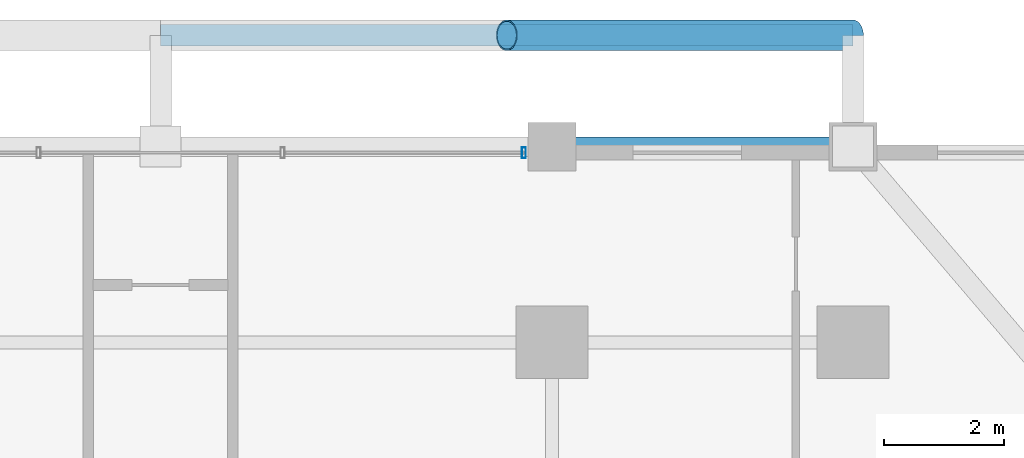
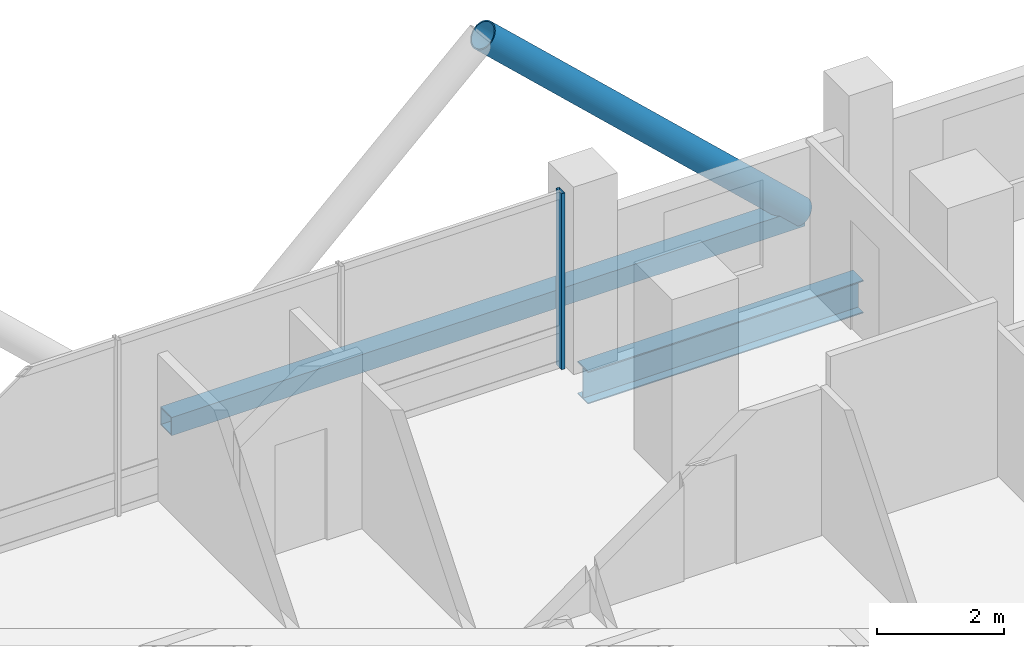
# One storey, part 16 of 25: 3 members, 1 beam, 1 element without a shape of its own.
"""IFC4 building model written with IfcOpenShell, lengths in metres."""

import ifcopenshell
import ifcopenshell.guid

model = None  # the IFC model being written
_history = None  # IfcOwnerHistory: only IFC2X3 demands one
_inside = {}  # id of a spatial element -> (the spatial element, [elements in it])
_under = {}  # id of a project, library or spatial element -> (it, [spatial elements below it])
_declared = {}  # id of a project -> (the project, [libraries it declares])
_typed = {}  # id of a type object -> (the type object, [elements of that type])
_made_of = {}  # id of a material, layer set ... -> (it, [elements and type objects made of it])


def new_model(schema):
    """Start an empty IFC model of exactly this schema.

    Asked for "IFC4X3", IfcOpenShell would pick the latest addendum, in which some entities
    have other attributes; the version numbers below select the first issue.
    IFC2X3 requires an IfcOwnerHistory on every rooted entity: one is made here for all.
    """
    global model, _history
    if schema == "IFC4X3":
        model = ifcopenshell.file(schema_version=(4, 3, 0, 0))
    else:
        model = ifcopenshell.file(schema=schema)
    _inside.clear()
    _under.clear()
    _declared.clear()
    _typed.clear()
    _made_of.clear()
    _history = None
    if model.schema == "IFC2X3":
        org = make("IfcOrganization", Name="unknown")
        user = make(
            "IfcPersonAndOrganization",
            ThePerson=make("IfcPerson", FamilyName="unknown"),
            TheOrganization=org,
        )
        app = make(
            "IfcApplication",
            ApplicationDeveloper=org,
            Version="unknown",
            ApplicationFullName="unknown",
            ApplicationIdentifier="unknown",
        )
        _history = make(
            "IfcOwnerHistory",
            OwningUser=user,
            OwningApplication=app,
            ChangeAction="ADDED",
            CreationDate=0,
        )
    return model


def make(cls, **values):
    """One entity of the class cls with the attributes given. An attribute that is None is left unset."""
    return model.create_entity(
        cls, **{name: value for name, value in values.items() if value is not None}
    )


def rooted(cls, **values):
    """An entity with a GlobalId (a new one), such as an element, a storey or a relation."""
    return make(cls, GlobalId=ifcopenshell.guid.new(), OwnerHistory=_history, **values)


def si_unit(unit_type, name, prefix=None):
    """IfcSIUnit, for example si_unit("LENGTHUNIT", "METRE", prefix="MILLI")."""
    return make("IfcSIUnit", UnitType=unit_type, Prefix=prefix, Name=name)


def assignment(units):
    """IfcUnitAssignment: the units of a project."""
    return None if units is None else make("IfcUnitAssignment", Units=units)


def point(xyz):
    """IfcCartesianPoint."""
    return None if xyz is None else make("IfcCartesianPoint", Coordinates=xyz)


def direction(xyz):
    """IfcDirection."""
    return None if xyz is None else make("IfcDirection", DirectionRatios=xyz)


def frame(location, z_axis=None, x_axis=None):
    """IfcAxis2Placement3D, a coordinate frame: its origin and axes. An axis left out is left unset."""
    return make(
        "IfcAxis2Placement3D",
        Location=point(location),
        Axis=direction(z_axis),
        RefDirection=direction(x_axis),
    )


def frame_2d(location, x_axis=None):
    """IfcAxis2Placement2D, a coordinate frame in the plane: its origin and x axis."""
    return make(
        "IfcAxis2Placement2D", Location=point(location), RefDirection=direction(x_axis)
    )


def origin():
    """The frame at (0, 0, 0) with its axes left unset."""
    return frame((0.0, 0.0, 0.0))


def origin_2d():
    """The frame at (0, 0) in the plane with its x axis left unset."""
    return frame_2d((0.0, 0.0))


def place(relative_to, where):
    """IfcLocalPlacement: puts the frame where relative to a parent placement (None: the world)."""
    return make(
        "IfcLocalPlacement", PlacementRelTo=relative_to, RelativePlacement=where
    )


def context(
    kind, dimensions, precision=None, world=None, true_north=None, identifier=None
):
    """IfcGeometricRepresentationContext, for example the 3D "Model" context."""
    return make(
        "IfcGeometricRepresentationContext",
        ContextIdentifier=identifier,
        ContextType=kind,
        CoordinateSpaceDimension=dimensions,
        Precision=precision,
        WorldCoordinateSystem=world,
        TrueNorth=true_north,
    )


def subcontext(parent, identifier, kind, view, scale=None):
    """IfcGeometricRepresentationSubContext, for example "Body" below "Model"."""
    return make(
        "IfcGeometricRepresentationSubContext",
        ContextIdentifier=identifier,
        ContextType=kind,
        ParentContext=parent,
        TargetScale=scale,
        TargetView=view,
    )


def project(units=None, contexts=None):
    """IfcProject with its units and contexts."""
    return rooted(
        "IfcProject",
        Name="project",
        RepresentationContexts=contexts,
        UnitsInContext=assignment(units),
    )


def spatial(cls, under=None, at=None, **own):
    """A site, building, storey or space (cls), placed at a placement, below another one or the project."""
    s = rooted(cls, ObjectPlacement=at, **own)
    if under is not None:
        _under.setdefault(under.id(), (under, []))[1].append(s)
    return s


def profile(cls, at=None, kind="AREA", **sizes):
    """A parametric profile (cls). Its sizes go by their IFC names, for example OverallWidth=200.0."""
    return make(cls, ProfileType=kind, Position=at, **sizes)


def hollow_rectangle(**sizes):
    """IfcRectangleHollowProfileDef."""
    return profile("IfcRectangleHollowProfileDef", **sizes)


def hollow_circle(**sizes):
    """IfcCircleHollowProfileDef."""
    return profile("IfcCircleHollowProfileDef", **sizes)


def i_section(**sizes):
    """IfcIShapeProfileDef."""
    return profile("IfcIShapeProfileDef", **sizes)


def extrude(swept, where, along, depth):
    """IfcExtrudedAreaSolid: the profile swept, set in the frame where, extruded along a direction by depth."""
    return make(
        "IfcExtrudedAreaSolid",
        SweptArea=swept,
        Position=where,
        ExtrudedDirection=direction(along),
        Depth=depth,
    )


def shape(context_of_items, identifier, shape_type, items):
    """IfcShapeRepresentation: the items that make up one representation, for example the "Body"."""
    return make(
        "IfcShapeRepresentation",
        ContextOfItems=context_of_items,
        RepresentationIdentifier=identifier,
        RepresentationType=shape_type,
        Items=items,
    )


def material(Name=None, Category=None):
    """IfcMaterial."""
    return make("IfcMaterial", Name=Name, Category=Category)


def layer(
    of_material, thickness, ventilated=None, Name=None, Category=None, Priority=None
):
    """IfcMaterialLayer: one layer of a wall or slab, of a material (None: an air gap)."""
    return make(
        "IfcMaterialLayer",
        Material=of_material,
        LayerThickness=thickness,
        IsVentilated=ventilated,
        Name=Name,
        Category=Category,
        Priority=Priority,
    )


def layer_set(layers, Name=None):
    """IfcMaterialLayerSet."""
    return make("IfcMaterialLayerSet", MaterialLayers=layers, LayerSetName=Name)


def material_profile(
    of_material, cross_section, Name=None, Category=None, Priority=None
):
    """IfcMaterialProfile: a cross section and its material."""
    return make(
        "IfcMaterialProfile",
        Name=Name,
        Material=of_material,
        Profile=cross_section,
        Priority=Priority,
        Category=Category,
    )


def profile_set(profiles, Name=None, composite=None):
    """IfcMaterialProfileSet."""
    return make(
        "IfcMaterialProfileSet",
        Name=Name,
        MaterialProfiles=profiles,
        CompositeProfile=composite,
    )


def made_of(thing, what):
    """Note that an element or type object is made of a material, layer set ...; save() writes the relation."""
    if what is not None:
        _made_of.setdefault(what.id(), (what, []))[1].append(thing)
    return thing


def type_object(cls, material=None, **own):
    """A type object (cls), such as IfcWallType, which elements share."""
    return made_of(rooted(cls, **own), material)


def element(
    cls,
    number,
    at=None,
    inside=None,
    cuts=None,
    type_object=None,
    material=None,
    context=None,
    identifier="Body",
    shape_type=None,
    held_by="IfcProductDefinitionShape",
    body=None,
    shapes=None,
    **own,
):
    """One element of the class cls, such as IfcWall. Its Tag is "e" and its number.

    at: its placement. inside: the storey or other place that contains it. cuts: it is an
    opening in that element (IfcRelVoidsElement). A single representation is given by context,
    identifier, shape_type and body (its items); several are given by shapes. held_by: the class
    of the entity that holds the representations. save() writes the other relations.
    """
    e = rooted(cls, Tag="e%d" % number, ObjectPlacement=at, **own)
    if body is not None:
        shapes = [shape(context, identifier, shape_type, body)]
    if shapes is not None:
        e.Representation = make(held_by, Representations=shapes)
    if inside is not None:
        _inside.setdefault(inside.id(), (inside, []))[1].append(e)
    if cuts is not None:
        rooted(
            "IfcRelVoidsElement", RelatingBuildingElement=cuts, RelatedOpeningElement=e
        )
    if type_object is not None:
        _typed.setdefault(type_object.id(), (type_object, []))[1].append(e)
    return made_of(e, material)


def aggregate(whole, parts):
    """IfcRelAggregates: a whole, such as a stair, and the parts it consists of."""
    return rooted("IfcRelAggregates", RelatingObject=whole, RelatedObjects=parts)


def save(model, path):
    """Write the relations noted so far, then the file.

    IfcRelAggregates (storeys below a building ...), IfcRelContainedInSpatialStructure (elements
    in a storey), IfcRelDefinesByType, IfcRelAssociatesMaterial and IfcRelDeclares: one each for
    every whole, place, type object, material and project.
    """
    for whole, parts in _under.values():
        aggregate(whole, parts)
    for where, things in _inside.values():
        rooted(
            "IfcRelContainedInSpatialStructure",
            RelatedElements=things,
            RelatingStructure=where,
        )
    for kind, things in _typed.values():
        rooted("IfcRelDefinesByType", RelatedObjects=things, RelatingType=kind)
    for what, things in _made_of.values():
        rooted("IfcRelAssociatesMaterial", RelatedObjects=things, RelatingMaterial=what)
    for by, libraries in _declared.values():
        rooted("IfcRelDeclares", RelatingContext=by, RelatedDefinitions=libraries)
    model.write(path)


model = new_model("IFC4")

# Units and contexts
model_context = context("Model", 3, precision=1e-05, world=origin(), true_north=direction((0.0, 1.0)))
body_context = subcontext(model_context, "Body", "Model", "MODEL_VIEW")
ifc_project = project(units=[si_unit("LENGTHUNIT", "METRE"), si_unit("AREAUNIT", "SQUARE_METRE"), si_unit("VOLUMEUNIT", "CUBIC_METRE"), si_unit("PLANEANGLEUNIT", "RADIAN"), si_unit("MASSUNIT", "GRAM", prefix="KILO")], contexts=[model_context])

# Site, building, storey
site_placement = place(None, origin())
site = spatial("IfcSite", under=ifc_project, at=site_placement, CompositionType="ELEMENT")
building_placement = place(site_placement, origin())
building = spatial("IfcBuilding", under=site, at=building_placement, Name="Barlavira Tower and Art Museum", CompositionType="ELEMENT")
storey_placement = place(building_placement, frame((0.0, 0.0, 144.0)))
storey = spatial("IfcBuildingStorey", under=building, at=storey_placement, Name="L36", CompositionType="ELEMENT", Elevation=144.0)

# Curtain wall, member
ifc_material_1 = material(Name="Low-iron coastal laminated glass", Category="glass")
ifc_layer = layer(ifc_material_1, 0.18994140625, Name="Low-iron coastal laminated glass")
ifc_layer_set = layer_set([ifc_layer], Name="Low-iron coastal laminated glass")
curtain_wall_type = type_object("IfcCurtainWallType", Name="Pale-Metal Unitised Curtain Wall Zone 2", PredefinedType="NOTDEFINED", material=ifc_layer_set)
curtain_wall_placement = place(storey_placement, origin())
curtain_wall = element("IfcCurtainWall", 1, at=curtain_wall_placement, inside=storey, type_object=curtain_wall_type, Name="L36 Curtain Wall CW2-L36-N-B3", PredefinedType="NOTDEFINED")
ifc_material_2 = material(Name="Pale anodised aluminium", Category="aluminium")
ifc_material_profile_1 = material_profile(ifc_material_2, hollow_rectangle(XDim=0.06494140625, YDim=0.179931640625, WallThickness=0.00390625, at=origin_2d()), Name="ALU-MULL 65x180x4")
ifc_profile_set_1 = profile_set([ifc_material_profile_1], Name="Pale anodised aluminium")
member_type_1 = type_object("IfcMemberType", Name="Curtain Wall Pale-Metal Mullion 65x180", PredefinedType="MULLION", material=ifc_profile_set_1)
member_1_placement = place(storey_placement, frame((6.034912109375, 23.14990234375, 0.0), z_axis=(0.0, 0.0, 1.0), x_axis=(-1.0, 0.0, 0.0)))
member_1 = element("IfcMember", 2, at=member_1_placement, type_object=member_type_1, Name="CW2-L36-N-B3 Mullion 0", PredefinedType="MULLION", context=body_context, shape_type="SweptSolid", body=[
    extrude(hollow_rectangle(XDim=0.06494140625, YDim=0.179931640625, WallThickness=0.00390625, at=origin_2d()), origin(), (0.0, 0.0, 1.0), 3.3798828125),
])
aggregate(curtain_wall, [member_1])

# Members
ifc_material_3 = material(Name="Steel S355", Category="steel")
ifc_material_profile_2 = material_profile(ifc_material_3, hollow_circle(Radius=0.25390625, WallThickness=0.022216796875, at=origin_2d()), Name="CHS 508.0x22.2")
ifc_profile_set_2 = profile_set([ifc_material_profile_2], Name="Steel S355")
member_type_2 = type_object("IfcMemberType", Name="Pale-Metal Exoskeleton Diagrid Tube CHS 508x22 Steel S355", PredefinedType="BRACE", material=ifc_profile_set_2)
member_2_placement = place(storey_placement, frame((11.5, 25.10009765625, -0.1201171875), z_axis=(-0.728934650808, 0.0, 0.684583285548), x_axis=(0.0, -1.0, 0.0)))
element("IfcMember", 3, at=member_2_placement, inside=storey, type_object=member_type_2, Name="L36 Exoskeleton Diagrid Tube N", PredefinedType="BRACE", context=body_context, shape_type="SweptSolid", body=[
    extrude(hollow_circle(Radius=0.25390625, WallThickness=0.022216796875, at=origin_2d()), origin(), (0.0, 0.0, 1.0), 7.88818359375),
])
ifc_material_profile_3 = material_profile(ifc_material_3, hollow_rectangle(XDim=0.35009765625, YDim=0.35009765625, WallThickness=0.02001953125, at=origin_2d()), Name="SHS 350x350x20.0")
ifc_profile_set_3 = profile_set([ifc_material_profile_3], Name="Steel S355")
member_type_3 = type_object("IfcMemberType", Name="Pale-Metal Exoskeleton Ring Strut SHS 350x350x20 Steel S355", PredefinedType="STRUT", material=ifc_profile_set_3)
member_3_placement = place(storey_placement, frame((0.0, 25.10009765625, -0.1201171875), z_axis=(1.0, 0.0, 0.0), x_axis=(0.0, 1.0, 0.0)))
element("IfcMember", 4, at=member_3_placement, inside=storey, type_object=member_type_3, Name="L36 Exoskeleton Ring Strut N", PredefinedType="STRUT", context=body_context, shape_type="SweptSolid", body=[
    extrude(hollow_rectangle(XDim=0.35009765625, YDim=0.35009765625, WallThickness=0.02001953125, at=origin_2d()), origin(), (0.0, 0.0, 1.0), 11.5),
])

# Beam
ifc_material_profile_4 = material_profile(ifc_material_3, i_section(OverallWidth=0.327880859375, OverallDepth=0.62890625, WebThickness=0.013916015625, FlangeThickness=0.021484375, at=origin_2d()), Name="W610x174.0")
ifc_profile_set_4 = profile_set([ifc_material_profile_4], Name="Steel S355")
beam_type = type_object("IfcBeamType", Name="Perimeter Spandrel Edge Beam W610x174 Steel S355", PredefinedType="SPANDREL", material=ifc_profile_set_4)
beam_placement = place(storey_placement, frame((6.5, 23.25, -0.534423828125), z_axis=(1.0, 0.0, 0.0), x_axis=(0.0, 1.0, 0.0)))
element("IfcBeam", 5, at=beam_placement, inside=storey, type_object=beam_type, Name="L36 Spandrel 9", PredefinedType="SPANDREL", context=body_context, shape_type="SweptSolid", body=[
    extrude(i_section(OverallWidth=0.327880859375, OverallDepth=0.62890625, WebThickness=0.013916015625, FlangeThickness=0.021484375, at=origin_2d()), origin(), (0.0, 0.0, 1.0), 5.0),
])

save(model, "model.ifc")
